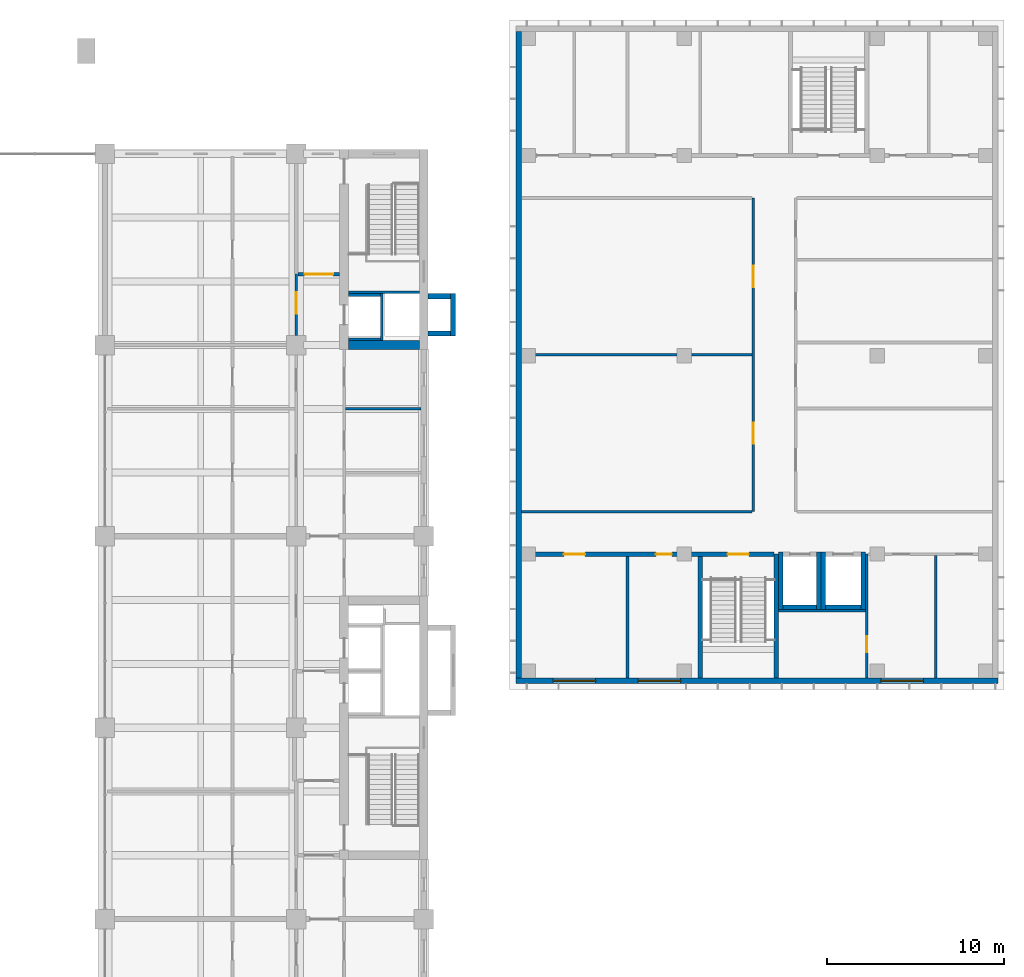
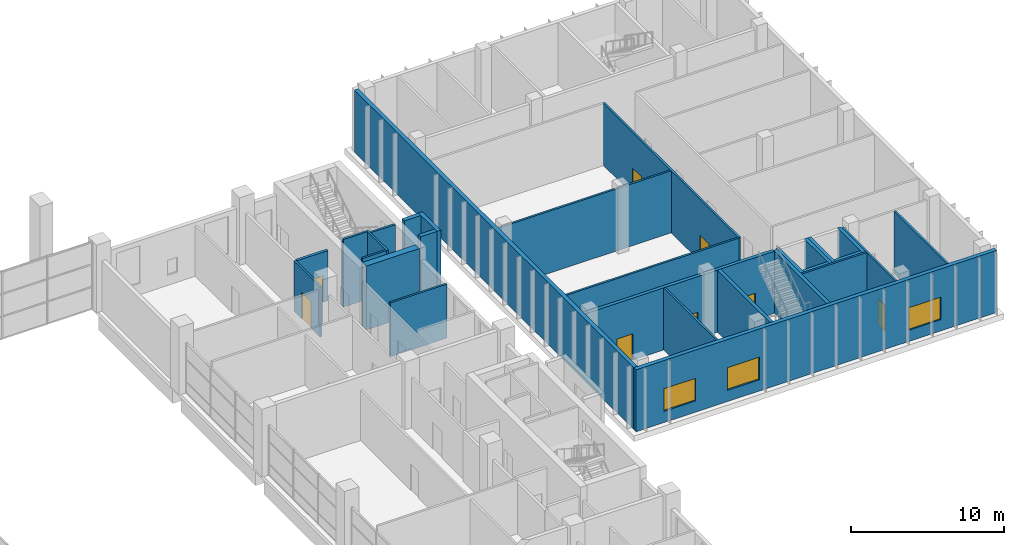
# One storey, part 23 of 32: 29 walls, 8 doors, 3 windows, 11 openings.
"""IFC4 building model written with IfcOpenShell, lengths in metres."""

from ifc_helpers import new_model, si_unit, direction, frame, frame_2d, origin, place, context, subcontext, project, spatial, rectangle, extrude, material, layer, layer_set, type_object, element, fill, save


model = new_model("IFC4")

# Units and contexts
model_context = context("Model", 3, precision=1e-05, world=origin(), true_north=direction((0.0, 1.0)))
body_context = subcontext(model_context, "Body", "Model", "MODEL_VIEW")
ifc_project = project(units=[si_unit("LENGTHUNIT", "METRE"), si_unit("AREAUNIT", "SQUARE_METRE"), si_unit("VOLUMEUNIT", "CUBIC_METRE"), si_unit("PLANEANGLEUNIT", "RADIAN"), si_unit("MASSUNIT", "GRAM", prefix="KILO")], contexts=[model_context])

# Site, building, storey
site_placement = place(None, origin())
site = spatial("IfcSite", under=ifc_project, at=site_placement, CompositionType="ELEMENT")
building_placement = place(site_placement, origin())
building = spatial("IfcBuilding", under=site, at=building_placement, Name="Basin Gate Institute", CompositionType="ELEMENT")
storey_placement = place(building_placement, frame((0.0, 0.0, 11.39990234375)))
storey = spatial("IfcBuildingStorey", under=building, at=storey_placement, Name="L02", CompositionType="ELEMENT", Elevation=11.39990234375)

# Wall, openings, doors
ifc_material_1 = material(Name="Concrete 40 MPa", Category="concrete")
ifc_layer_1 = layer(ifc_material_1, 0.25)
ifc_layer_set_1 = layer_set([ifc_layer_1], Name="Concrete 40 MPa")
wall_type_1 = type_object("IfcWallType", Name="Block enclosure wall W73 REI 120", PredefinedType="SOLIDWALL", material=ifc_layer_set_1)
wall_1_placement = place(storey_placement, frame((124.300048828125, 77.300048828125, 0.0), z_axis=(0.0, 0.0, 1.0), x_axis=(1.0, 0.0, 0.0)))
wall_1 = element("IfcWall", 1, at=wall_1_placement, inside=storey, type_object=wall_type_1, material=ifc_layer_set_1, Name="Stair and lift enclosure wall Cx7730-1 L02", PredefinedType="SOLIDWALL", context=body_context, shape_type="SweptSolid", body=[
    extrude(rectangle(XDim=14.27490234375, YDim=0.25, at=frame_2d((7.137451171875, 0.0))), origin(), (0.0, 0.0, 1.0), 4.9501953125),
])
opening_1_placement = place(wall_1_placement, frame((2.39990234375, 0.0, 0.0)))
opening_1 = element("IfcOpeningElement", 2, at=opening_1_placement, cuts=wall_1, Name="Opening D1038", PredefinedType="OPENING", context=body_context, shape_type="SweptSolid", body=[
    extrude(rectangle(XDim=1.199951171875, YDim=2.10009765625, at=frame_2d((0.60009765625, 1.050048828125))), frame((0.0, 0.135009765625, 0.0), z_axis=(0.0, -1.0, 0.0), x_axis=(1.0, 0.0, 0.0)), (0.0, 0.0, 1.0), 0.27001953125),
])
opening_2_placement = place(wall_1_placement, frame((7.60009765625, 0.0, 0.0)))
opening_2 = element("IfcOpeningElement", 3, at=opening_2_placement, cuts=wall_1, Name="Opening D1039", PredefinedType="OPENING", context=body_context, shape_type="SweptSolid", body=[
    extrude(rectangle(XDim=0.89990234375, YDim=2.10009765625, at=frame_2d((0.449951171875, 1.050048828125))), frame((0.0, 0.135009765625, 0.0), z_axis=(0.0, -1.0, 0.0), x_axis=(1.0, 0.0, 0.0)), (0.0, 0.0, 1.0), 0.27001953125),
])
opening_3_placement = place(wall_1_placement, frame((11.64990234375, 0.0, 0.0)))
opening_3 = element("IfcOpeningElement", 4, at=opening_3_placement, cuts=wall_1, Name="Opening D1055", PredefinedType="OPENING", context=body_context, shape_type="SweptSolid", body=[
    extrude(rectangle(XDim=1.199951171875, YDim=2.10009765625, at=frame_2d((0.60009765625, 1.050048828125))), frame((0.0, 0.135009765625, 0.0), z_axis=(0.0, -1.0, 0.0), x_axis=(1.0, 0.0, 0.0)), (0.0, 0.0, 1.0), 0.27001953125),
])
ifc_material_2 = material(Name="Timber door leaf in steel frame", Category="steel")
door_type_1 = type_object("IfcDoorType", Name="Block door 1200 single swing", OperationType="NOTDEFINED", PredefinedType="DOOR", material=ifc_material_2)
door_1_placement = place(opening_1_placement, frame((1.199951171875, 0.0, 0.0), z_axis=(0.0, 0.0, 1.0), x_axis=(-1.0, 0.0, 0.0)))
door_1 = element("IfcDoor", 5, at=door_1_placement, inside=storey, type_object=door_type_1, material=ifc_material_2, Name="Dry Laboratory door L02", OperationType="SINGLE_SWING_RIGHT", OverallHeight=2.10009765625, OverallWidth=1.199951171875, PredefinedType="DOOR", context=body_context, shape_type="SweptSolid", body=[
    extrude(rectangle(XDim=1.199951171875, YDim=2.10009765625, at=frame_2d((0.60009765625, 1.050048828125))), frame((0.0, 0.02490234375, 0.0), z_axis=(0.0, -1.0, 0.0), x_axis=(1.0, 0.0, 0.0)), (0.0, 0.0, 1.0), 0.050048828125),
])
fill(opening_1, door_1)
ifc_material_3 = material(Name="Timber door leaf in steel frame", Category="steel")
door_type_2 = type_object("IfcDoorType", Name="Block door 900 single swing", OperationType="NOTDEFINED", PredefinedType="DOOR", material=ifc_material_3)
door_2_placement = place(opening_2_placement, frame((0.89990234375, 0.0, 0.0), z_axis=(0.0, 0.0, 1.0), x_axis=(-1.0, 0.0, 0.0)))
door_2 = element("IfcDoor", 6, at=door_2_placement, inside=storey, type_object=door_type_2, material=ifc_material_3, Name="Write-up Office door L02", OperationType="SINGLE_SWING_LEFT", OverallHeight=2.10009765625, OverallWidth=0.89990234375, PredefinedType="DOOR", context=body_context, shape_type="SweptSolid", body=[
    extrude(rectangle(XDim=0.89990234375, YDim=2.10009765625, at=frame_2d((0.449951171875, 1.050048828125))), frame((0.0, 0.02490234375, 0.0), z_axis=(0.0, -1.0, 0.0), x_axis=(1.0, 0.0, 0.0)), (0.0, 0.0, 1.0), 0.050048828125),
])
fill(opening_2, door_2)
ifc_material_4 = material(Name="Steel fire door leaf", Category="steel")
door_type_3 = type_object("IfcDoorType", Name="FD60 door 1200 single swing", OperationType="NOTDEFINED", PredefinedType="DOOR", material=ifc_material_4)
door_3_placement = place(opening_3_placement, frame((1.199951171875, 0.0, 0.0), z_axis=(0.0, 0.0, 1.0), x_axis=(-1.0, 0.0, 0.0)))
door_3 = element("IfcDoor", 7, at=door_3_placement, inside=storey, type_object=door_type_3, material=ifc_material_4, Name="Stair door ST-C3 L02", OperationType="SINGLE_SWING_RIGHT", OverallHeight=2.10009765625, OverallWidth=1.199951171875, PredefinedType="DOOR", context=body_context, shape_type="SweptSolid", body=[
    extrude(rectangle(XDim=1.199951171875, YDim=2.10009765625, at=frame_2d((0.60009765625, 1.050048828125))), frame((0.0, 0.02490234375, 0.0), z_axis=(0.0, -1.0, 0.0), x_axis=(1.0, 0.0, 0.0)), (0.0, 0.0, 1.0), 0.050048828125),
])
fill(opening_3, door_3)

# Walls
wall_2_placement = place(storey_placement, frame((134.39990234375, 70.300048828125, 0.0), z_axis=(0.0, 0.0, 1.0), x_axis=(0.0, 1.0, 0.0)))
element("IfcWall", 8, at=wall_2_placement, inside=storey, type_object=wall_type_1, material=ifc_layer_set_1, Name="Stair and lift enclosure wall Cy13440-15 L02", PredefinedType="SOLIDWALL", context=body_context, shape_type="SweptSolid", body=[
    extrude(rectangle(XDim=6.875, YDim=0.25, at=frame_2d((3.4375, 0.0))), origin(), (0.0, 0.0, 1.0), 4.9501953125),
])
wall_3_placement = place(storey_placement, frame((138.699951171875, 70.300048828125, 0.0), z_axis=(0.0, 0.0, 1.0), x_axis=(0.0, 1.0, 0.0)))
element("IfcWall", 9, at=wall_3_placement, inside=storey, type_object=wall_type_1, material=ifc_layer_set_1, Name="Stair and lift enclosure wall Cy13870-18 L02", PredefinedType="SOLIDWALL", context=body_context, shape_type="SweptSolid", body=[
    extrude(rectangle(XDim=7.0, YDim=0.25, at=frame_2d((3.5, 0.0))), origin(), (0.0, 0.0, 1.0), 4.9501953125),
])

# Wall, openings, windows
ifc_material_5 = material(Name="Insulated sandwich panel, mineral wool core, galvanised sheet faces")
ifc_layer_2 = layer(ifc_material_5, 0.300048828125)
ifc_layer_set_2 = layer_set([ifc_layer_2], Name="Clean block insulated panel wall W80 EI 60")
wall_type_2 = type_object("IfcWallType", Name="Clean block insulated panel wall W80 EI 60", PredefinedType="SOLIDWALL", material=ifc_layer_set_2)
wall_4_placement = place(storey_placement, frame((124.0, 70.14990234375, 0.0), z_axis=(0.0, 0.0, 1.0), x_axis=(1.0, 0.0, 0.0)))
wall_4 = element("IfcWall", 10, at=wall_4_placement, inside=storey, type_object=wall_type_2, material=ifc_layer_set_2, Name="Clean block insulated panel wall south L02", PredefinedType="SOLIDWALL", context=body_context, shape_type="SweptSolid", body=[
    extrude(rectangle(XDim=27.199951171875, YDim=0.300048828125, at=frame_2d((13.60009765625, 0.0))), origin(), (0.0, 0.0, 1.0), 4.9501953125),
])
opening_4_placement = place(wall_4_placement, frame((2.10009765625, 0.0, 0.89990234375)))
opening_4 = element("IfcOpeningElement", 11, at=opening_4_placement, cuts=wall_4, Name="Opening WN1004", PredefinedType="OPENING", context=body_context, shape_type="SweptSolid", body=[
    extrude(rectangle(XDim=2.39990234375, YDim=1.800048828125, at=frame_2d((1.199951171875, 0.89990234375))), frame((0.0, 0.16015625, 0.0), z_axis=(0.0, -1.0, 0.0), x_axis=(1.0, 0.0, 0.0)), (0.0, 0.0, 1.0), 0.320068359375),
])
opening_5_placement = place(wall_4_placement, frame((6.89990234375, 0.0, 0.89990234375)))
opening_5 = element("IfcOpeningElement", 12, at=opening_5_placement, cuts=wall_4, Name="Opening WN1005", PredefinedType="OPENING", context=body_context, shape_type="SweptSolid", body=[
    extrude(rectangle(XDim=2.39990234375, YDim=1.800048828125, at=frame_2d((1.199951171875, 0.89990234375))), frame((0.0, 0.16015625, 0.0), z_axis=(0.0, -1.0, 0.0), x_axis=(1.0, 0.0, 0.0)), (0.0, 0.0, 1.0), 0.320068359375),
])
opening_6_placement = place(wall_4_placement, frame((20.60009765625, 0.0, 0.89990234375)))
opening_6 = element("IfcOpeningElement", 13, at=opening_6_placement, cuts=wall_4, Name="Opening WN1006", PredefinedType="OPENING", context=body_context, shape_type="SweptSolid", body=[
    extrude(rectangle(XDim=2.39990234375, YDim=1.800048828125, at=frame_2d((1.199951171875, 0.89990234375))), frame((0.0, 0.16015625, 0.0), z_axis=(0.0, -1.0, 0.0), x_axis=(1.0, 0.0, 0.0)), (0.0, 0.0, 1.0), 0.320068359375),
])
ifc_material_6 = material(Name="Aluminium frame with double glazing", Category="aluminium")
window_type = type_object("IfcWindowType", Name="Block window 2400x1800", PartitioningType="DOUBLE_PANEL_VERTICAL", PredefinedType="WINDOW", material=ifc_material_6)
window_1_placement = place(opening_4_placement, origin())
window_1 = element("IfcWindow", 14, at=window_1_placement, inside=storey, type_object=window_type, material=ifc_material_6, Name="Dry Laboratory window", OverallHeight=1.800048828125, OverallWidth=2.39990234375, PartitioningType="SINGLE_PANEL", PredefinedType="WINDOW", context=body_context, shape_type="SweptSolid", body=[
    extrude(rectangle(XDim=2.39990234375, YDim=1.800048828125, at=frame_2d((1.199951171875, 0.89990234375))), frame((0.0, 0.030029296875, 0.0), z_axis=(0.0, -1.0, 0.0), x_axis=(1.0, 0.0, 0.0)), (0.0, 0.0, 1.0), 0.06005859375),
])
fill(opening_4, window_1)
window_2_placement = place(opening_5_placement, origin())
window_2 = element("IfcWindow", 15, at=window_2_placement, inside=storey, type_object=window_type, material=ifc_material_6, Name="Write-up Office window", OverallHeight=1.800048828125, OverallWidth=2.39990234375, PartitioningType="SINGLE_PANEL", PredefinedType="WINDOW", context=body_context, shape_type="SweptSolid", body=[
    extrude(rectangle(XDim=2.39990234375, YDim=1.800048828125, at=frame_2d((1.199951171875, 0.89990234375))), frame((0.0, 0.030029296875, 0.0), z_axis=(0.0, -1.0, 0.0), x_axis=(1.0, 0.0, 0.0)), (0.0, 0.0, 1.0), 0.06005859375),
])
fill(opening_5, window_2)
window_3_placement = place(opening_6_placement, origin())
window_3 = element("IfcWindow", 16, at=window_3_placement, inside=storey, type_object=window_type, material=ifc_material_6, Name="Meeting Pod window", OverallHeight=1.800048828125, OverallWidth=2.39990234375, PartitioningType="SINGLE_PANEL", PredefinedType="WINDOW", context=body_context, shape_type="SweptSolid", body=[
    extrude(rectangle(XDim=2.39990234375, YDim=1.800048828125, at=frame_2d((1.199951171875, 0.89990234375))), frame((0.0, 0.030029296875, 0.0), z_axis=(0.0, -1.0, 0.0), x_axis=(1.0, 0.0, 0.0)), (0.0, 0.0, 1.0), 0.06005859375),
])
fill(opening_6, window_3)

# Walls
wall_5_placement = place(storey_placement, frame((124.14990234375, 70.300048828125, 0.0), z_axis=(0.0, 0.0, 1.0), x_axis=(0.0, 1.0, 0.0)))
element("IfcWall", 17, at=wall_5_placement, inside=storey, type_object=wall_type_2, material=ifc_layer_set_2, Name="Clean block insulated panel wall west L02", PredefinedType="SOLIDWALL", context=body_context, shape_type="SweptSolid", body=[
    extrude(rectangle(XDim=36.5, YDim=0.300048828125, at=frame_2d((18.25, 0.0))), origin(), (0.0, 0.0, 1.0), 4.9501953125),
])
ifc_material_7 = material(Name="Gypsum board partition on steel studs, 60 minute", Category="steel")
ifc_layer_3 = layer(ifc_material_7, 0.14990234375)
ifc_layer_set_3 = layer_set([ifc_layer_3], Name="Gypsum board partition on steel studs, 60 minute")
wall_type_3 = type_object("IfcWallType", Name="Clean block partition PW72 EI 60", PredefinedType="SOLIDWALL", material=ifc_layer_set_3)
wall_6_placement = place(storey_placement, frame((138.824951171875, 74.10009765625, 0.0), z_axis=(0.0, 0.0, 1.0), x_axis=(1.0, 0.0, 0.0)))
element("IfcWall", 18, at=wall_6_placement, inside=storey, type_object=wall_type_3, material=ifc_layer_set_3, Name="Clean block partition Cx7410-0 L02", PredefinedType="SOLIDWALL", context=body_context, shape_type="SweptSolid", body=[
    extrude(rectangle(XDim=4.900146484375, YDim=0.14990234375, at=frame_2d((2.4501953125, 0.0))), origin(), (0.0, 0.0, 1.0), 4.9501953125),
])
for number, where, z_axis, x_axis, name in (
    (19, (124.300048828125, 79.699951171875, 0.0), (0.0, 0.0, 1.0), (1.0, 0.0, 0.0), "Clean block partition Cx7970-3 L02"),
    (20, (124.300048828125, 88.550048828125, 0.0), (0.0, 0.0, 1.0), (1.0, 0.0, 0.0), "Clean block partition Cx8855-6 L02"),
):
    element("IfcWall", number, at=place(storey_placement, frame(where, z_axis=z_axis, x_axis=x_axis)), inside=storey, type_object=wall_type_3, material=ifc_layer_set_3, Name=name, PredefinedType="SOLIDWALL", context=body_context, shape_type="SweptSolid", body=[
        extrude(rectangle(XDim=13.02490234375, YDim=0.14990234375, at=frame_2d((6.512451171875, 0.0))), origin(), (0.0, 0.0, 1.0), 4.9501953125),
    ])
wall_7_placement = place(storey_placement, frame((130.300048828125, 70.300048828125, 0.0), z_axis=(0.0, 0.0, 1.0), x_axis=(0.0, 1.0, 0.0)))
element("IfcWall", 21, at=wall_7_placement, inside=storey, type_object=wall_type_3, material=ifc_layer_set_3, Name="Clean block partition Cy13030-13 L02", PredefinedType="SOLIDWALL", context=body_context, shape_type="SweptSolid", body=[
    extrude(rectangle(XDim=6.875, YDim=0.14990234375, at=frame_2d((3.4375, 0.0))), origin(), (0.0, 0.0, 1.0), 4.9501953125),
])

# Wall, openings, doors
wall_8_placement = place(storey_placement, frame((137.39990234375, 79.699951171875, 0.0), z_axis=(0.0, 0.0, 1.0), x_axis=(0.0, 1.0, 0.0)))
wall_8 = element("IfcWall", 22, at=wall_8_placement, inside=storey, type_object=wall_type_3, material=ifc_layer_set_3, Name="Clean block partition Cy13740-17 L02", PredefinedType="SOLIDWALL", context=body_context, shape_type="SweptSolid", body=[
    extrude(rectangle(XDim=17.699951171875, YDim=0.14990234375, at=frame_2d((8.85009765625, 0.0))), origin(), (0.0, 0.0, 1.0), 4.9501953125),
])
opening_7_placement = place(wall_8_placement, frame((3.824951171875, 0.0, 0.0)))
opening_7 = element("IfcOpeningElement", 23, at=opening_7_placement, cuts=wall_8, Name="Opening D1042", PredefinedType="OPENING", context=body_context, shape_type="SweptSolid", body=[
    extrude(rectangle(XDim=1.199951171875, YDim=2.10009765625, at=frame_2d((0.60009765625, 1.050048828125))), frame((0.0, 0.0849609375, 0.0), z_axis=(0.0, -1.0, 0.0), x_axis=(1.0, 0.0, 0.0)), (0.0, 0.0, 1.0), 0.169921875),
])
opening_8_placement = place(wall_8_placement, frame((12.675048828125, 0.0, 0.0)))
opening_8 = element("IfcOpeningElement", 24, at=opening_8_placement, cuts=wall_8, Name="Opening D1043", PredefinedType="OPENING", context=body_context, shape_type="SweptSolid", body=[
    extrude(rectangle(XDim=1.199951171875, YDim=2.10009765625, at=frame_2d((0.60009765625, 1.050048828125))), frame((0.0, 0.0849609375, 0.0), z_axis=(0.0, -1.0, 0.0), x_axis=(1.0, 0.0, 0.0)), (0.0, 0.0, 1.0), 0.169921875),
])
door_4_placement = place(opening_7_placement, origin())
door_4 = element("IfcDoor", 25, at=door_4_placement, inside=storey, type_object=door_type_1, material=ifc_material_2, Name="Clean Room ISO 7 2 door L02", OperationType="SINGLE_SWING_LEFT", OverallHeight=2.10009765625, OverallWidth=1.199951171875, PredefinedType="DOOR", context=body_context, shape_type="SweptSolid", body=[
    extrude(rectangle(XDim=1.199951171875, YDim=2.10009765625, at=frame_2d((0.60009765625, 1.050048828125))), frame((0.0, 0.02490234375, 0.0), z_axis=(0.0, -1.0, 0.0), x_axis=(1.0, 0.0, 0.0)), (0.0, 0.0, 1.0), 0.050048828125),
])
fill(opening_7, door_4)
door_5_placement = place(opening_8_placement, origin())
door_5 = element("IfcDoor", 26, at=door_5_placement, inside=storey, type_object=door_type_1, material=ifc_material_2, Name="Clean Room ISO 7 3 door L02", OperationType="SINGLE_SWING_LEFT", OverallHeight=2.10009765625, OverallWidth=1.199951171875, PredefinedType="DOOR", context=body_context, shape_type="SweptSolid", body=[
    extrude(rectangle(XDim=1.199951171875, YDim=2.10009765625, at=frame_2d((0.60009765625, 1.050048828125))), frame((0.0, 0.02490234375, 0.0), z_axis=(0.0, -1.0, 0.0), x_axis=(1.0, 0.0, 0.0)), (0.0, 0.0, 1.0), 0.050048828125),
])
fill(opening_8, door_5)

# Wall, opening, door
wall_9_placement = place(storey_placement, frame((143.800048828125, 70.300048828125, 0.0), z_axis=(0.0, 0.0, 1.0), x_axis=(0.0, 1.0, 0.0)))
wall_9 = element("IfcWall", 27, at=wall_9_placement, inside=storey, type_object=wall_type_3, material=ifc_layer_set_3, Name="Clean block partition Cy14380-21 L02", PredefinedType="SOLIDWALL", context=body_context, shape_type="SweptSolid", body=[
    extrude(rectangle(XDim=7.0, YDim=0.14990234375, at=frame_2d((3.5, 0.0))), origin(), (0.0, 0.0, 1.0), 4.9501953125),
])
opening_9_placement = place(wall_9_placement, frame((1.449951171875, 0.0, 0.0)))
opening_9 = element("IfcOpeningElement", 28, at=opening_9_placement, cuts=wall_9, Name="Opening D1053", PredefinedType="OPENING", context=body_context, shape_type="SweptSolid", body=[
    extrude(rectangle(XDim=0.89990234375, YDim=2.10009765625, at=frame_2d((0.449951171875, 1.050048828125))), frame((0.0, 0.0849609375, 0.0), z_axis=(0.0, -1.0, 0.0), x_axis=(1.0, 0.0, 0.0)), (0.0, 0.0, 1.0), 0.169921875),
])
door_6_placement = place(opening_9_placement, origin())
door_6 = element("IfcDoor", 29, at=door_6_placement, inside=storey, type_object=door_type_2, material=ifc_material_3, Name="Riser Room door L02", OperationType="SINGLE_SWING_RIGHT", OverallHeight=2.10009765625, OverallWidth=0.89990234375, PredefinedType="DOOR", context=body_context, shape_type="SweptSolid", body=[
    extrude(rectangle(XDim=0.89990234375, YDim=2.10009765625, at=frame_2d((0.449951171875, 1.050048828125))), frame((0.0, 0.02490234375, 0.0), z_axis=(0.0, -1.0, 0.0), x_axis=(1.0, 0.0, 0.0)), (0.0, 0.0, 1.0), 0.050048828125),
])
fill(opening_9, door_6)

# Wall
wall_10_placement = place(storey_placement, frame((147.699951171875, 70.300048828125, 0.0), z_axis=(0.0, 0.0, 1.0), x_axis=(0.0, 1.0, 0.0)))
element("IfcWall", 30, at=wall_10_placement, inside=storey, type_object=wall_type_3, material=ifc_layer_set_3, Name="Clean block partition Cy14770-24 L02", PredefinedType="SOLIDWALL", context=body_context, shape_type="SweptSolid", body=[
    extrude(rectangle(XDim=6.925048828125, YDim=0.14990234375, at=frame_2d((3.46240234375, 0.0))), origin(), (0.0, 0.0, 1.0), 4.9501953125),
])

# Wall, opening, door
ifc_material_8 = material(Name="Fire-rated masonry", Category="masonry")
ifc_layer_4 = layer(ifc_material_8, 0.199951171875)
ifc_layer_set_4 = layer_set([ifc_layer_4], Name="Enclosure wall PW2 200 EI 60")
wall_type_4 = type_object("IfcWallType", Name="Enclosure wall PW2 200 EI 60", PredefinedType="PARTITIONING", material=ifc_layer_set_4)
wall_11_placement = place(storey_placement, frame((114.050048828125, 93.10009765625, 0.0), z_axis=(0.0, 0.0, 1.0), x_axis=(-1.0, 0.0, 0.0)))
wall_11 = element("IfcWall", 31, at=wall_11_placement, inside=storey, type_object=wall_type_4, material=ifc_layer_set_4, Name="Smoke lobby enclosure wall PW2 L02", PredefinedType="PARTITIONING", context=body_context, shape_type="SweptSolid", body=[
    extrude(rectangle(XDim=2.35009765625, YDim=0.199951171875, at=frame_2d((1.175048828125, 0.0))), origin(), (0.0, 0.0, 1.0), 4.0),
])
opening_10_placement = place(wall_11_placement, frame((0.375, 0.0, 0.0)))
opening_10 = element("IfcOpeningElement", 32, at=opening_10_placement, cuts=wall_11, Name="Opening DR121", PredefinedType="OPENING", context=body_context, shape_type="SweptSolid", body=[
    extrude(rectangle(XDim=1.60009765625, YDim=2.10009765625, at=frame_2d((0.800048828125, 1.050048828125))), frame((0.0, 0.10986328125, 0.0), z_axis=(0.0, -1.0, 0.0), x_axis=(1.0, 0.0, 0.0)), (0.0, 0.0, 1.0), 0.219970703125),
])
ifc_material_9 = material(Name="Steel fire door", Category="steel")
door_type_4 = type_object("IfcDoorType", Name="FD60 Smoke lobby door pair D8", OperationType="DOUBLE_DOOR_SINGLE_SWING", PredefinedType="DOOR", material=ifc_material_9)
door_7_placement = place(opening_10_placement, frame((1.60009765625, 0.0, 0.0), z_axis=(0.0, 0.0, 1.0), x_axis=(-1.0, 0.0, 0.0)))
door_7 = element("IfcDoor", 33, at=door_7_placement, inside=storey, type_object=door_type_4, material=ifc_material_9, Name="Smoke lobby door SS6 L02", OperationType="DOUBLE_DOOR_SINGLE_SWING", OverallHeight=2.10009765625, OverallWidth=1.60009765625, PredefinedType="DOOR", context=body_context, shape_type="SweptSolid", body=[
    extrude(rectangle(XDim=1.60009765625, YDim=2.10009765625, at=frame_2d((0.800048828125, 1.050048828125))), frame((0.0, 0.02490234375, 0.0), z_axis=(0.0, -1.0, 0.0), x_axis=(1.0, 0.0, 0.0)), (0.0, 0.0, 1.0), 0.050048828125),
])
fill(opening_10, door_7)

# Walls
ifc_material_10 = material(Name="Concrete 40 MPa", Category="concrete")
ifc_layer_5 = layer(ifc_material_10, 0.25)
ifc_layer_set_5 = layer_set([ifc_layer_5], Name="Concrete 40 MPa")
wall_type_5 = type_object("IfcWallType", Name="Lift shaft enclosure wall W76 EI 120", PredefinedType="SOLIDWALL", material=ifc_layer_set_5)
wall_12_placement = place(storey_placement, frame((139.074951171875, 74.300048828125, 0.0), z_axis=(0.0, 0.0, 1.0), x_axis=(1.0, 0.0, 0.0)))
element("IfcWall", 34, at=wall_12_placement, inside=storey, type_object=wall_type_5, material=ifc_layer_set_5, Name="Lift shaft enclosure LP8 S L02", PredefinedType="SOLIDWALL", context=body_context, shape_type="SweptSolid", body=[
    extrude(rectangle(XDim=1.900146484375, YDim=0.25, at=frame_2d((0.9501953125, 0.0))), origin(), (0.0, 0.0, 1.0), 4.9501953125),
])
for number, where, z_axis, x_axis, name in (
    (35, (138.949951171875, 74.175048828125, 0.0), (0.0, 0.0, 1.0), (0.0, 1.0, 0.0), "Lift shaft enclosure LP8 W L02"),
    (36, (141.10009765625, 74.175048828125, 0.0), (0.0, 0.0, 1.0), (0.0, 1.0, 0.0), "Lift shaft enclosure LP8 E L02"),
):
    element("IfcWall", number, at=place(storey_placement, frame(where, z_axis=z_axis, x_axis=x_axis)), inside=storey, type_object=wall_type_5, material=ifc_layer_set_5, Name=name, PredefinedType="SOLIDWALL", context=body_context, shape_type="SweptSolid", body=[
        extrude(rectangle(XDim=3.25, YDim=0.25, at=frame_2d((1.625, 0.0))), origin(), (0.0, 0.0, 1.0), 4.9501953125),
    ])
wall_13_placement = place(storey_placement, frame((141.47509765625, 74.300048828125, 0.0), z_axis=(0.0, 0.0, 1.0), x_axis=(1.0, 0.0, 0.0)))
element("IfcWall", 37, at=wall_13_placement, inside=storey, type_object=wall_type_5, material=ifc_layer_set_5, Name="Lift shaft enclosure LG1 S L02", PredefinedType="SOLIDWALL", context=body_context, shape_type="SweptSolid", body=[
    extrude(rectangle(XDim=2.0, YDim=0.25, at=frame_2d((1.0, 0.0))), origin(), (0.0, 0.0, 1.0), 4.9501953125),
])
for number, where, z_axis, x_axis, name in (
    (38, (141.35009765625, 74.175048828125, 0.0), (0.0, 0.0, 1.0), (0.0, 1.0, 0.0), "Lift shaft enclosure LG1 W L02"),
    (39, (143.60009765625, 74.175048828125, 0.0), (0.0, 0.0, 1.0), (0.0, 1.0, 0.0), "Lift shaft enclosure LG1 E L02"),
):
    element("IfcWall", number, at=place(storey_placement, frame(where, z_axis=z_axis, x_axis=x_axis)), inside=storey, type_object=wall_type_5, material=ifc_layer_set_5, Name=name, PredefinedType="SOLIDWALL", context=body_context, shape_type="SweptSolid", body=[
        extrude(rectangle(XDim=3.25, YDim=0.25, at=frame_2d((1.625, 0.0))), origin(), (0.0, 0.0, 1.0), 4.9501953125),
    ])

# Wall, opening, door
ifc_material_11 = material(Name="Gypsum board on steel stud", Category="steel")
ifc_layer_6 = layer(ifc_material_11, 0.14990234375)
ifc_layer_set_6 = layer_set([ifc_layer_6], Name="Gypsum board on steel stud")
wall_type_6 = type_object("IfcWallType", Name="Partition PW1 150 EI 60", PredefinedType="PARTITIONING", material=ifc_layer_set_6)
wall_14_placement = place(storey_placement, frame((111.60009765625, 89.64990234375, 0.0), z_axis=(0.0, 0.0, 1.0), x_axis=(0.0, 1.0, 0.0)))
wall_14 = element("IfcWall", 40, at=wall_14_placement, inside=storey, type_object=wall_type_6, material=ifc_layer_set_6, Name="Laboratory corridor wall PW1 L02", PredefinedType="PARTITIONING", context=body_context, shape_type="SweptSolid", body=[
    extrude(rectangle(XDim=3.4501953125, YDim=0.14990234375, at=frame_2d((1.72509765625, 0.0))), origin(), (0.0, 0.0, 1.0), 4.0),
])
opening_11_placement = place(wall_14_placement, frame((1.22509765625, 0.0, 0.0)))
opening_11 = element("IfcOpeningElement", 41, at=opening_11_placement, cuts=wall_14, Name="Opening DR108", PredefinedType="OPENING", context=body_context, shape_type="SweptSolid", body=[
    extrude(rectangle(XDim=1.199951171875, YDim=2.10009765625, at=frame_2d((0.60009765625, 1.050048828125))), frame((0.0, 0.0849609375, 0.0), z_axis=(0.0, -1.0, 0.0), x_axis=(1.0, 0.0, 0.0)), (0.0, 0.0, 1.0), 0.169921875),
])
ifc_material_12 = material(Name="Timber fire door", Category="wood")
door_type_5 = type_object("IfcDoorType", Name="FD30 Laboratory door D2", OperationType="DOUBLE_DOOR_SINGLE_SWING", PredefinedType="DOOR", material=ifc_material_12)
door_8_placement = place(opening_11_placement, origin())
door_8 = element("IfcDoor", 42, at=door_8_placement, inside=storey, type_object=door_type_5, material=ifc_material_12, Name="Door to Gowning Airlock 0282 L02", OperationType="DOUBLE_DOOR_SINGLE_SWING", OverallHeight=2.10009765625, OverallWidth=1.199951171875, PredefinedType="DOOR", context=body_context, shape_type="SweptSolid", body=[
    extrude(rectangle(XDim=1.199951171875, YDim=2.10009765625, at=frame_2d((0.60009765625, 1.050048828125))), frame((0.0, 0.02490234375, 0.0), z_axis=(0.0, -1.0, 0.0), x_axis=(1.0, 0.0, 0.0)), (0.0, 0.0, 1.0), 0.050048828125),
])
fill(opening_11, door_8)

# Walls
ifc_material_13 = material(Name="Gypsum board on steel stud", Category="steel")
ifc_layer_7 = layer(ifc_material_13, 0.14990234375)
ifc_layer_set_7 = layer_set([ifc_layer_7], Name="Gypsum board on steel stud")
wall_type_7 = type_object("IfcWallType", Name="Partition PW4 150", PredefinedType="PARTITIONING", material=ifc_layer_set_7)
wall_15_placement = place(storey_placement, frame((118.64990234375, 85.5, 0.0), z_axis=(0.0, 0.0, 1.0), x_axis=(-1.0, 0.0, 0.0)))
element("IfcWall", 43, at=wall_15_placement, inside=storey, type_object=wall_type_7, material=ifc_layer_set_7, Name="Toilet partition PW4 L02", PredefinedType="PARTITIONING", context=body_context, shape_type="SweptSolid", body=[
    extrude(rectangle(XDim=4.27490234375, YDim=0.14990234375, at=frame_2d((2.137451171875, 0.0))), origin(), (0.0, 0.0, 1.0), 4.300048828125),
])
ifc_material_14 = material(Name="Concrete 40 MPa", Category="concrete")
ifc_layer_8 = layer(ifc_material_14, 0.14990234375)
ifc_layer_set_8 = layer_set([ifc_layer_8], Name="Concrete 40 MPa")
wall_type_8 = type_object("IfcWallType", Name="Wall LS1 lift shaft enclosure R180", PredefinedType="SOLIDWALL", material=ifc_layer_set_8)
wall_16_placement = place(storey_placement, frame((116.425048828125, 92.0, 0.0), z_axis=(0.0, 0.0, 1.0), x_axis=(0.0, -1.0, 0.0)))
element("IfcWall", 44, at=wall_16_placement, inside=storey, type_object=wall_type_8, material=ifc_layer_set_8, Name="Lift shaft enclosure LP6 L02 UL", PredefinedType="SOLIDWALL", context=body_context, shape_type="SweptSolid", body=[
    extrude(rectangle(XDim=2.64990234375, YDim=0.14990234375, at=frame_2d((1.324951171875, 0.0))), origin(), (0.0, 0.0, 1.0), 5.400146484375),
])
for number, where, z_axis, x_axis, name in (
    (45, (116.35009765625, 91.925048828125, 0.0), (0.0, 0.0, 1.0), (-1.0, 0.0, 0.0), "Lift shaft enclosure LP6 L02 RL"),
    (46, (116.35009765625, 89.425048828125, 0.0), (0.0, 0.0, 1.0), (-1.0, 0.0, 0.0), "Lift shaft enclosure LP6 L02 RH"),
):
    element("IfcWall", number, at=place(storey_placement, frame(where, z_axis=z_axis, x_axis=x_axis)), inside=storey, type_object=wall_type_8, material=ifc_layer_set_8, Name=name, PredefinedType="SOLIDWALL", context=body_context, shape_type="SweptSolid", body=[
        extrude(rectangle(XDim=1.800048828125, YDim=0.14990234375, at=frame_2d((0.89990234375, 0.0))), origin(), (0.0, 0.0, 1.0), 5.400146484375),
    ])
ifc_material_15 = material(Name="Concrete 40 MPa", Category="concrete")
ifc_layer_9 = layer(ifc_material_15, 0.14990234375)
ifc_layer_set_9 = layer_set([ifc_layer_9], Name="Concrete 40 MPa")
wall_type_9 = type_object("IfcWallType", Name="Wall SE1 stair enclosure R180", PredefinedType="SOLIDWALL", material=ifc_layer_set_9)
wall_17_placement = place(storey_placement, frame((118.550048828125, 92.074951171875, 0.0), z_axis=(0.0, 0.0, 1.0), x_axis=(-1.0, 0.0, 0.0)))
element("IfcWall", 47, at=wall_17_placement, inside=storey, type_object=wall_type_9, material=ifc_layer_set_9, Name="Stair enclosure wall ST-EN L02", PredefinedType="SOLIDWALL", context=body_context, shape_type="SweptSolid", body=[
    extrude(rectangle(XDim=4.0, YDim=0.14990234375, at=frame_2d((2.0, 0.0))), origin(), (0.0, 0.0, 1.0), 5.10009765625),
])
ifc_material_16 = material(Name="Concrete 50 MPa", Category="concrete")
ifc_layer_10 = layer(ifc_material_16, 0.300048828125)
ifc_layer_set_10 = layer_set([ifc_layer_10], Name="Concrete 50 MPa")
wall_type_10 = type_object("IfcWallType", Name="Wall SK1 R180", PredefinedType="SHEAR", material=ifc_layer_set_10)
wall_18_placement = place(storey_placement, frame((120.449951171875, 89.60009765625, 0.0), z_axis=(0.0, 0.0, 1.0), x_axis=(0.0, 1.0, 0.0)))
element("IfcWall", 48, at=wall_18_placement, inside=storey, type_object=wall_type_10, material=ifc_layer_set_10, Name="Spine riser stack wall SK1 EN F L02", PredefinedType="SHEAR", context=body_context, shape_type="SweptSolid", body=[
    extrude(rectangle(XDim=2.39990234375, YDim=0.300048828125, at=frame_2d((1.199951171875, 0.0))), origin(), (0.0, 0.0, 1.0), 5.400146484375),
])
for number, where, z_axis, x_axis, name in (
    (49, (119.050048828125, 89.75, 0.0), (0.0, 0.0, 1.0), (1.0, 0.0, 0.0), "Spine riser stack wall SK1 EN A L02"),
    (50, (119.050048828125, 91.85009765625, 0.0), (0.0, 0.0, 1.0), (1.0, 0.0, 0.0), "Spine riser stack wall SK1 EN B L02"),
):
    element("IfcWall", number, at=place(storey_placement, frame(where, z_axis=z_axis, x_axis=x_axis)), inside=storey, type_object=wall_type_10, material=ifc_layer_set_10, Name=name, PredefinedType="SHEAR", context=body_context, shape_type="SweptSolid", body=[
        extrude(rectangle(XDim=1.25, YDim=0.300048828125, at=frame_2d((0.625, 0.0))), origin(), (0.0, 0.0, 1.0), 5.400146484375),
    ])
ifc_material_17 = material(Name="Concrete 60 MPa", Category="concrete")
ifc_layer_11 = layer(ifc_material_17, 0.5)
ifc_layer_set_11 = layer_set([ifc_layer_11], Name="Concrete 60 MPa")
wall_type_11 = type_object("IfcWallType", Name="Wall SW1 R180", PredefinedType="SHEAR", material=ifc_layer_set_11)
wall_19_placement = place(storey_placement, frame((118.550048828125, 89.10009765625, 0.0), z_axis=(0.0, 0.0, 1.0), x_axis=(-1.0, 0.0, 0.0)))
element("IfcWall", 51, at=wall_19_placement, inside=storey, type_object=wall_type_11, material=ifc_layer_set_11, Name="WALL/L02/EN/S", PredefinedType="SHEAR", context=body_context, shape_type="SweptSolid", body=[
    extrude(rectangle(XDim=4.0, YDim=0.5, at=frame_2d((2.0, 0.0))), origin(), (0.0, 0.0, 1.0), 5.10009765625),
])

save(model, "model.ifc")
